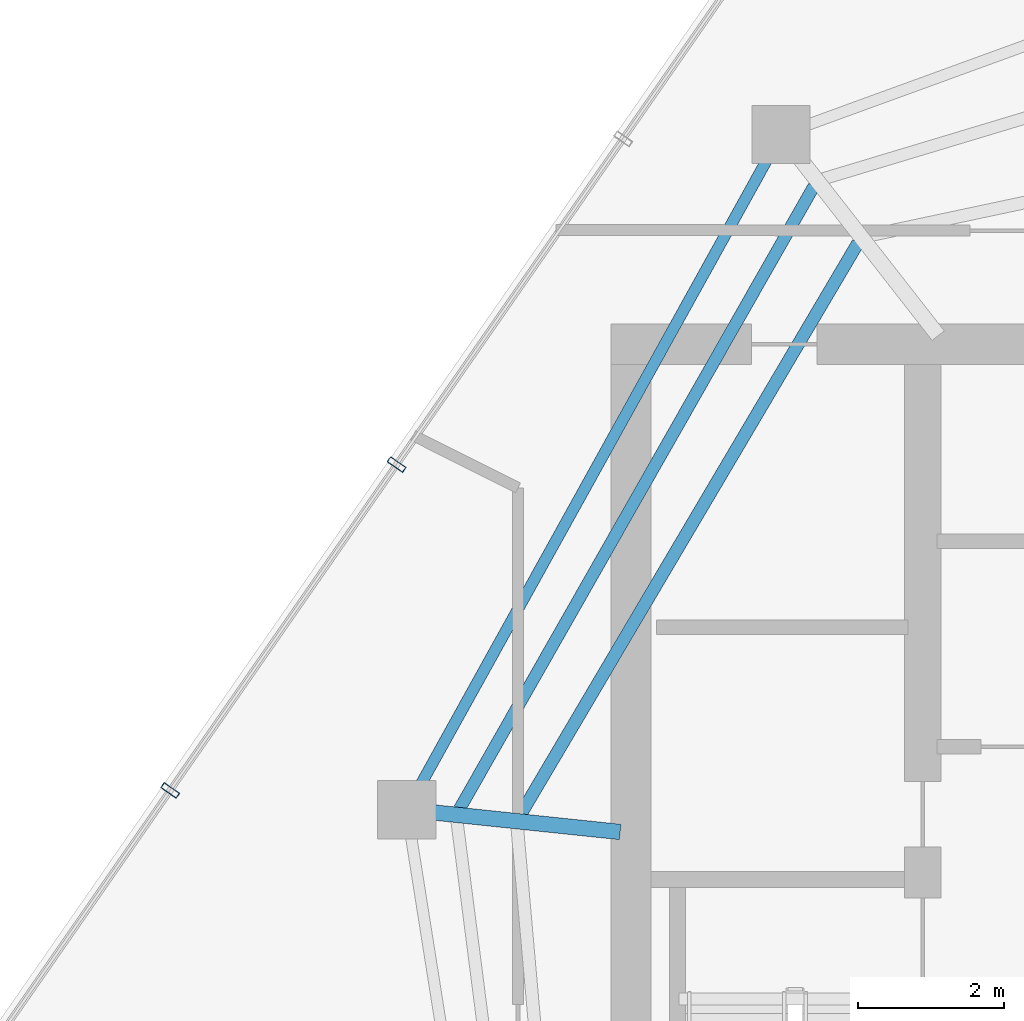
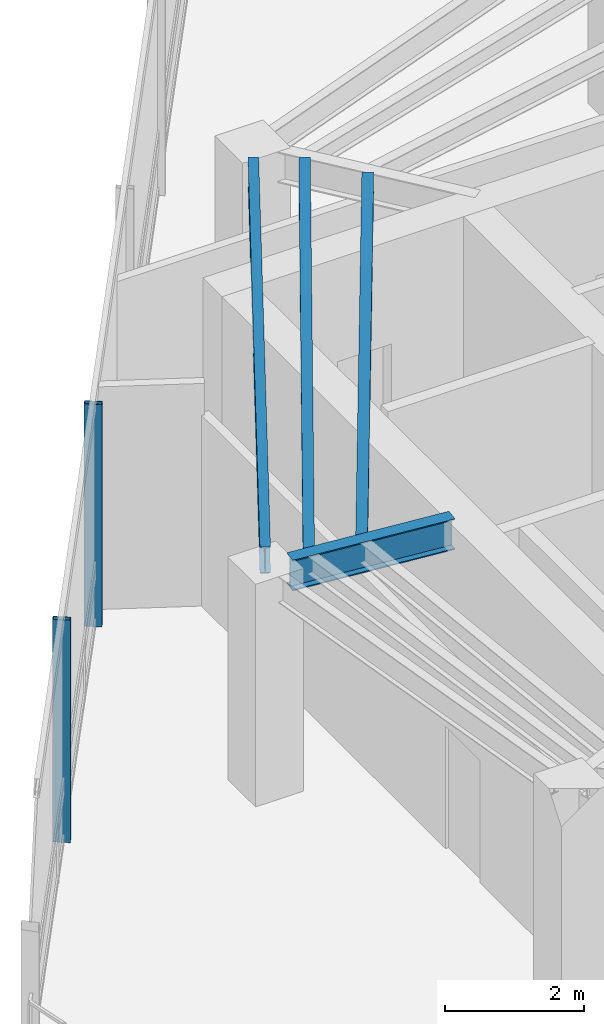
# One storey, part 6 of 19: 4 beams, 2 members, 1 element without a shape of its own.
"""IFC4 building model written with IfcOpenShell, lengths in metres."""

from ifc_helpers import new_model, si_unit, direction, frame, origin, origin_2d, place, context, subcontext, project, spatial, hollow_rectangle, i_section, extrude, material, layer, layer_set, material_profile, profile_set, type_object, element, aggregate, save


model = new_model("IFC4")

# Units and contexts
model_context = context("Model", 3, precision=1e-05, world=origin(), true_north=direction((0.0, 1.0)))
body_context = subcontext(model_context, "Body", "Model", "MODEL_VIEW")
ifc_project = project(units=[si_unit("LENGTHUNIT", "METRE"), si_unit("AREAUNIT", "SQUARE_METRE"), si_unit("VOLUMEUNIT", "CUBIC_METRE"), si_unit("PLANEANGLEUNIT", "RADIAN"), si_unit("MASSUNIT", "GRAM", prefix="KILO")], contexts=[model_context])

# Site, building, storey
site_placement = place(None, origin())
site = spatial("IfcSite", under=ifc_project, at=site_placement, CompositionType="ELEMENT")
building_placement = place(site_placement, origin())
building = spatial("IfcBuilding", under=site, at=building_placement, Name="Qarnah Convention Tower", CompositionType="ELEMENT")
storey_placement = place(building_placement, frame((0.0, 0.0, 275.10009765625)))
storey = spatial("IfcBuildingStorey", under=building, at=storey_placement, Name="L74", CompositionType="ELEMENT", Elevation=275.10009765625)

# Beams
ifc_material_1 = material(Name="Structural steel S355JR", Category="steel")
ifc_material_profile_1 = material_profile(ifc_material_1, i_section(OverallWidth=0.166015625, OverallDepth=0.31201171875, WebThickness=0.007080078125, FlangeThickness=0.010986328125, at=origin_2d()), Name="W310X45")
ifc_profile_set_1 = profile_set([ifc_material_profile_1], Name="Structural steel S355JR")
beam_type_1 = type_object("IfcBeamType", Name="BM-JST-W310", PredefinedType="JOIST", material=ifc_profile_set_1)
beam_1_placement = place(storey_placement, frame((29.30810546875, 36.366943359375, 3.763916015625), z_axis=(-0.494589589693, -0.869126652317, 0.0), x_axis=(0.869126652317, -0.494589589693, 0.0)))
element("IfcBeam", 1, at=beam_1_placement, inside=storey, type_object=beam_type_1, Name="L74 joist BM-L74-SJST-04", PredefinedType="JOIST", context=body_context, shape_type="SweptSolid", body=[
    extrude(i_section(OverallWidth=0.166015625, OverallDepth=0.31201171875, WebThickness=0.007080078125, FlangeThickness=0.010986328125, at=origin_2d()), origin(), (0.0, 0.0, 1.0), 9.83056640625),
])
ifc_material_profile_2 = material_profile(ifc_material_1, i_section(OverallWidth=0.172119140625, OverallDepth=0.35595703125, WebThickness=0.007080078125, FlangeThickness=0.011962890625, at=origin_2d()), Name="W360X51")
ifc_profile_set_2 = profile_set([ifc_material_profile_2], Name="Structural steel S355JR")
beam_type_2 = type_object("IfcBeamType", Name="BM-JST-W360", PredefinedType="JOIST", material=ifc_profile_set_2)
beam_2_placement = place(storey_placement, frame((29.9140625, 35.590087890625, 3.741943359375), z_axis=(-0.508401010796, -0.861120440021, 0.0), x_axis=(0.861120440021, -0.508401010796, 0.0)))
element("IfcBeam", 2, at=beam_2_placement, inside=storey, type_object=beam_type_2, Name="L74 joist BM-L74-IJST-04", PredefinedType="JOIST", context=body_context, shape_type="SweptSolid", body=[
    extrude(i_section(OverallWidth=0.172119140625, OverallDepth=0.35595703125, WebThickness=0.007080078125, FlangeThickness=0.011962890625, at=origin_2d()), origin(), (0.0, 0.0, 1.0), 9.12060546875),
])
ifc_material_profile_3 = material_profile(ifc_material_1, i_section(OverallWidth=0.2119140625, OverallDepth=0.5400390625, WebThickness=0.011962890625, FlangeThickness=0.01904296875, at=origin_2d()), Name="W530X109")
ifc_profile_set_3 = profile_set([ifc_material_profile_3], Name="Structural steel S355JR")
beam_type_3 = type_object("IfcBeamType", Name="BM-RAD-W530A", PredefinedType="BEAM", material=ifc_profile_set_3)
beam_3_placement = place(storey_placement, frame((26.65087890625, 27.509033203125, 3.64990234375), z_axis=(-0.994564280912, 0.104124402207, 0.0), x_axis=(-0.104124402207, -0.994564280912, 0.0)))
element("IfcBeam", 3, at=beam_3_placement, inside=storey, type_object=beam_type_3, Name="L74 beam BM-L74-RAD-05", PredefinedType="BEAM", context=body_context, shape_type="SweptSolid", body=[
    extrude(i_section(OverallWidth=0.2119140625, OverallDepth=0.5400390625, WebThickness=0.011962890625, FlangeThickness=0.01904296875, at=origin_2d()), origin(), (0.0, 0.0, 1.0), 2.562744140625),
])
ifc_material_profile_4 = material_profile(ifc_material_1, i_section(OverallWidth=0.154052734375, OverallDepth=0.4599609375, WebThickness=0.009033203125, FlangeThickness=0.014892578125, at=origin_2d()), Name="W460X68")
ifc_profile_set_4 = profile_set([ifc_material_profile_4], Name="Structural steel S355JR")
beam_type_4 = type_object("IfcBeamType", Name="BM-SPN-W460B", PredefinedType="SPANDREL", material=ifc_profile_set_4)
beam_4_placement = place(storey_placement, frame((28.6689453125, 36.737060546875, 3.68994140625), z_axis=(-0.48479748752, -0.87462643231, 0.0), x_axis=(0.87462643231, -0.48479748752, 0.0)))
element("IfcBeam", 4, at=beam_4_placement, inside=storey, type_object=beam_type_4, Name="L74 spandrel BM-L74-SPN-04", PredefinedType="SPANDREL", context=body_context, shape_type="SweptSolid", body=[
    extrude(i_section(OverallWidth=0.154052734375, OverallDepth=0.4599609375, WebThickness=0.009033203125, FlangeThickness=0.014892578125, at=origin_2d()), origin(), (0.0, 0.0, 1.0), 9.81005859375),
])

# Curtain wall, members
ifc_material_2 = material(Name="Tempered Low-E dark glass", Category="glass")
ifc_layer = layer(ifc_material_2, 0.177978515625)
ifc_layer_set = layer_set([ifc_layer], Name="Tempered Low-E dark glass")
curtain_wall_type = type_object("IfcCurtainWallType", Name="CWS-06", PredefinedType="NOTDEFINED", material=ifc_layer_set)
curtain_wall_placement = place(storey_placement, origin())
curtain_wall = element("IfcCurtainWall", 5, at=curtain_wall_placement, inside=storey, type_object=curtain_wall_type, Name="L74 unitised curtain wall CW-L74-F3", PredefinedType="NOTDEFINED")
ifc_material_3 = material(Name="Black anodised aluminium", Category="aluminium")
ifc_material_profile_5 = material_profile(ifc_material_3, hollow_rectangle(XDim=0.0849609375, YDim=0.260009765625, WallThickness=0.006103515625, at=origin_2d()), Name="MUL-85X260")
ifc_profile_set_5 = profile_set([ifc_material_profile_5], Name="Black anodised aluminium")
member_type = type_object("IfcMemberType", Name="MUL-T6", PredefinedType="MULLION", material=ifc_profile_set_5)
member_1_placement = place(storey_placement, frame((20.476806640625, 28.0791015625, 0.0), z_axis=(0.0, 0.0, 1.0), x_axis=(0.570722123713, 0.821143262473, 0.0)))
member_1 = element("IfcMember", 6, at=member_1_placement, type_object=member_type, Name="CW-L74-F3 mullion 2", PredefinedType="MULLION", context=body_context, shape_type="SweptSolid", body=[
    extrude(hollow_rectangle(XDim=0.0849609375, YDim=0.260009765625, WallThickness=0.006103515625, at=origin_2d()), origin(), (0.0, 0.0, 1.0), 3.919921875),
])
member_2_placement = place(storey_placement, frame((23.58349609375, 32.549072265625, 0.0), z_axis=(0.0, 0.0, 1.0), x_axis=(0.570722123713, 0.821143262473, 0.0)))
member_2 = element("IfcMember", 7, at=member_2_placement, type_object=member_type, Name="CW-L74-F3 mullion 3", PredefinedType="MULLION", context=body_context, shape_type="SweptSolid", body=[
    extrude(hollow_rectangle(XDim=0.0849609375, YDim=0.260009765625, WallThickness=0.006103515625, at=origin_2d()), origin(), (0.0, 0.0, 1.0), 3.919921875),
])
aggregate(curtain_wall, [member_1, member_2])

save(model, "model.ifc")
